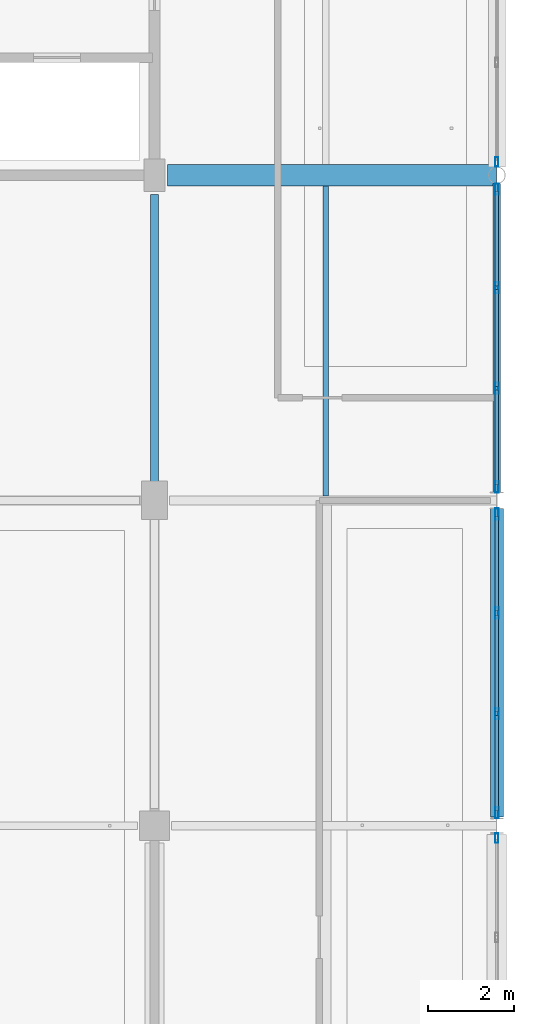
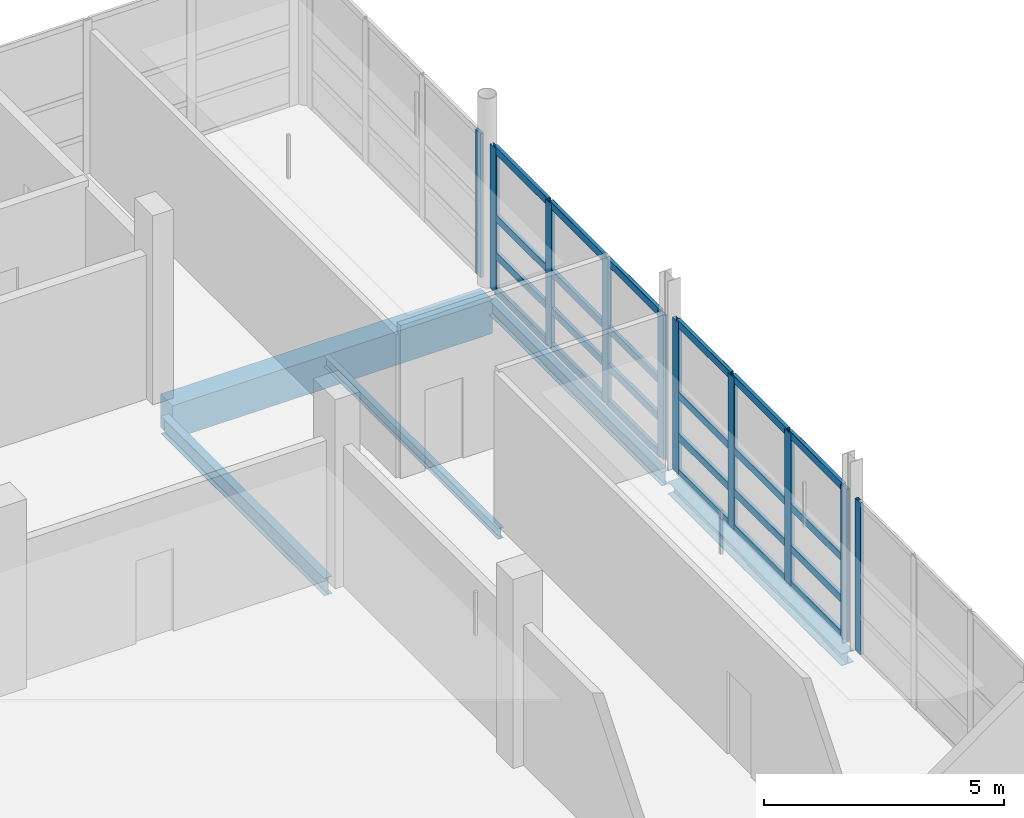
# One storey, part 54 of 141: 34 members, 5 beams, 4 elements without a shape of their own.
"""IFC4 building model written with IfcOpenShell, lengths in metres."""

from ifc_helpers import new_model, si_unit, direction, frame, origin, origin_2d, place, context, subcontext, project, spatial, rectangle, hollow_rectangle, i_section, extrude, material, material_profile, profile_set, type_object, element, aggregate, save


model = new_model("IFC4")

# Units and contexts
model_context = context("Model", 3, precision=1e-05, world=origin(), true_north=direction((0.0, 1.0)))
body_context = subcontext(model_context, "Body", "Model", "MODEL_VIEW")
ifc_project = project(units=[si_unit("LENGTHUNIT", "METRE"), si_unit("AREAUNIT", "SQUARE_METRE"), si_unit("VOLUMEUNIT", "CUBIC_METRE"), si_unit("PLANEANGLEUNIT", "RADIAN"), si_unit("MASSUNIT", "GRAM", prefix="KILO")], contexts=[model_context])

# Site, building, storey
site_placement = place(None, origin())
site = spatial("IfcSite", under=ifc_project, at=site_placement, CompositionType="ELEMENT")
building_placement = place(site_placement, origin())
building = spatial("IfcBuilding", under=site, at=building_placement, Name="Khelvaren Railside Concert Hall", CompositionType="ELEMENT")
storey_placement = place(building_placement, frame((0.0, 0.0, 10.199951171875)))
storey = spatial("IfcBuildingStorey", under=building, at=storey_placement, Name="L02", CompositionType="ELEMENT", Elevation=10.199951171875)

# Beam
ifc_material_1 = material(Name="Steel S355", Category="steel")
ifc_material_profile_1 = material_profile(ifc_material_1, i_section(OverallWidth=0.18994140625, OverallDepth=0.449951171875, WebThickness=0.009521484375, FlangeThickness=0.0146484375, FilletRadius=0.02099609375, at=origin_2d()), Name="IPE 450")
ifc_profile_set_1 = profile_set([ifc_material_profile_1], Name="Steel S355")
beam_type_1 = type_object("IfcBeamType", Name="BM95", PredefinedType="BEAM", material=ifc_profile_set_1)
beam_1_placement = place(storey_placement, frame((176.0, 23.14990234375, -0.514892578125), z_axis=(0.0, 1.0, 0.0), x_axis=(-1.0, 0.0, 0.0)))
element("IfcBeam", 1, at=beam_1_placement, inside=storey, type_object=beam_type_1, Name="V2 L02 Beam Y5.4", PredefinedType="BEAM", context=body_context, shape_type="SweptSolid", body=[
    extrude(i_section(OverallWidth=0.18994140625, OverallDepth=0.449951171875, WebThickness=0.009521484375, FlangeThickness=0.0146484375, FilletRadius=0.02099609375, at=origin_2d()), origin(), (0.0, 0.0, 1.0), 6.800048828125),
])

# Curtain wall, member
ifc_material_2 = material(Name="Double-glazed clear foyer glass", Category="glass")
curtain_wall_type_1 = type_object("IfcCurtainWallType", Name="CW64", PredefinedType="USERDEFINED", material=ifc_material_2)
curtain_wall_1_placement = place(storey_placement, origin())
curtain_wall_1 = element("IfcCurtainWall", 2, at=curtain_wall_1_placement, inside=storey, type_object=curtain_wall_type_1, Name="Unitised Curtain Wall CW-V2-L02-E-8", ObjectType="UNITISED CURTAIN WALL", PredefinedType="USERDEFINED")
ifc_material_3 = material(Name="Anodised architectural aluminium 6063-T6", Category="aluminium")
ifc_material_profile_2 = material_profile(ifc_material_3, hollow_rectangle(XDim=0.074951171875, YDim=0.219970703125, WallThickness=0.0048828125, InnerFilletRadius=0.0029296875, OuterFilletRadius=0.0048828125, at=origin_2d()), Name="CWM 75x220x5")
ifc_profile_set_2 = profile_set([ifc_material_profile_2], Name="Anodised architectural aluminium 6063-T6")
member_type_1 = type_object("IfcMemberType", Name="CWM13", PredefinedType="MULLION", material=ifc_profile_set_2)
member_1_placement = place(storey_placement, frame((184.0, 14.909912109375, 0.0), z_axis=(0.0, 0.0, 1.0), x_axis=(1.0, 0.0, 0.0)))
member_1 = element("IfcMember", 3, at=member_1_placement, type_object=member_type_1, Name="CW64 mullion 1", PredefinedType="MULLION", context=body_context, shape_type="SweptSolid", body=[
    extrude(hollow_rectangle(XDim=0.074951171875, YDim=0.219970703125, WallThickness=0.0048828125, InnerFilletRadius=0.0029296875, OuterFilletRadius=0.0048828125, at=origin_2d()), origin(), (0.0, 0.0, 1.0), 3.860107421875),
])
aggregate(curtain_wall_1, [member_1])

ifc_material_4 = material(Name="Triple-glazed solar-control glass", Category="glass")
curtain_wall_type_2 = type_object("IfcCurtainWallType", Name="CW88", PredefinedType="USERDEFINED", material=ifc_material_4)
curtain_wall_2_placement = place(storey_placement, origin())
curtain_wall_2 = element("IfcCurtainWall", 4, at=curtain_wall_2_placement, inside=storey, type_object=curtain_wall_type_2, Name="Unitised Curtain Wall CW-V2-L02-E-30", ObjectType="UNITISED CURTAIN WALL", PredefinedType="USERDEFINED")
member_2_placement = place(storey_placement, frame((184.0, 30.713134765625, 0.0), z_axis=(0.0, 0.0, 1.0), x_axis=(1.0, 0.0, 0.0)))
member_2 = element("IfcMember", 5, at=member_2_placement, type_object=member_type_1, Name="CW88 mullion 4", PredefinedType="MULLION", context=body_context, shape_type="SweptSolid", body=[
    extrude(hollow_rectangle(XDim=0.074951171875, YDim=0.219970703125, WallThickness=0.0048828125, InnerFilletRadius=0.0029296875, OuterFilletRadius=0.0048828125, at=origin_2d()), origin(), (0.0, 0.0, 1.0), 3.66015625),
])
aggregate(curtain_wall_2, [member_2])

# Curtain wall, members
ifc_material_5 = material(Name="Acoustic laminated crystal facade glass", Category="glass")
curtain_wall_type_3 = type_object("IfcCurtainWallType", Name="CW54", PredefinedType="USERDEFINED", material=ifc_material_5)
curtain_wall_3_placement = place(storey_placement, origin())
curtain_wall_3 = element("IfcCurtainWall", 6, at=curtain_wall_3_placement, inside=storey, type_object=curtain_wall_type_3, Name="Unitised Curtain Wall CW-V2-L02-E-15", ObjectType="UNITISED CURTAIN WALL", PredefinedType="USERDEFINED")
ifc_material_profile_3 = material_profile(ifc_material_3, hollow_rectangle(XDim=0.0849609375, YDim=0.260009765625, WallThickness=0.0048828125, InnerFilletRadius=0.0029296875, OuterFilletRadius=0.0048828125, at=origin_2d()), Name="CWM 85x260x5")
ifc_profile_set_3 = profile_set([ifc_material_profile_3], Name="Anodised architectural aluminium 6063-T6")
member_type_2 = type_object("IfcMemberType", Name="CWM40", PredefinedType="MULLION", material=ifc_profile_set_3)
member_3_placement = place(storey_placement, frame((184.0, 22.485107421875, 0.0), z_axis=(0.0, 0.0, 1.0), x_axis=(1.0, 0.0, 0.0)))
member_3 = element("IfcMember", 7, at=member_3_placement, type_object=member_type_2, Name="CW54 mullion 1", PredefinedType="MULLION", context=body_context, shape_type="SweptSolid", body=[
    extrude(hollow_rectangle(XDim=0.0849609375, YDim=0.260009765625, WallThickness=0.0048828125, InnerFilletRadius=0.0029296875, OuterFilletRadius=0.0048828125, at=origin_2d()), origin(), (0.0, 0.0, 1.0), 3.860107421875),
])
member_4_placement = place(storey_placement, frame((184.0, 20.1708984375, 0.0), z_axis=(0.0, 0.0, 1.0), x_axis=(1.0, 0.0, 0.0)))
member_4 = element("IfcMember", 8, at=member_4_placement, type_object=member_type_2, Name="CW54 mullion 2", PredefinedType="MULLION", context=body_context, shape_type="SweptSolid", body=[
    extrude(hollow_rectangle(XDim=0.0849609375, YDim=0.260009765625, WallThickness=0.0048828125, InnerFilletRadius=0.0029296875, OuterFilletRadius=0.0048828125, at=origin_2d()), origin(), (0.0, 0.0, 1.0), 3.860107421875),
])
member_5_placement = place(storey_placement, frame((184.0, 17.814208984375, 0.0), z_axis=(0.0, 0.0, 1.0), x_axis=(1.0, 0.0, 0.0)))
member_5 = element("IfcMember", 9, at=member_5_placement, type_object=member_type_2, Name="CW54 mullion 3", PredefinedType="MULLION", context=body_context, shape_type="SweptSolid", body=[
    extrude(hollow_rectangle(XDim=0.0849609375, YDim=0.260009765625, WallThickness=0.0048828125, InnerFilletRadius=0.0029296875, OuterFilletRadius=0.0048828125, at=origin_2d()), origin(), (0.0, 0.0, 1.0), 3.860107421875),
])
member_6_placement = place(storey_placement, frame((184.0, 15.5, 0.0), z_axis=(0.0, 0.0, 1.0), x_axis=(1.0, 0.0, 0.0)))
member_6 = element("IfcMember", 10, at=member_6_placement, type_object=member_type_2, Name="CW54 mullion 4", PredefinedType="MULLION", context=body_context, shape_type="SweptSolid", body=[
    extrude(hollow_rectangle(XDim=0.0849609375, YDim=0.260009765625, WallThickness=0.0048828125, InnerFilletRadius=0.0029296875, OuterFilletRadius=0.0048828125, at=origin_2d()), origin(), (0.0, 0.0, 1.0), 3.860107421875),
])

curtain_wall_type_4 = type_object("IfcCurtainWallType", Name="CW66", PredefinedType="USERDEFINED", material=ifc_material_5)
curtain_wall_4_placement = place(storey_placement, origin())
curtain_wall_4 = element("IfcCurtainWall", 11, at=curtain_wall_4_placement, inside=storey, type_object=curtain_wall_type_4, Name="Unitised Curtain Wall CW-V2-L02-E-23", ObjectType="UNITISED CURTAIN WALL", PredefinedType="USERDEFINED")
member_7_placement = place(storey_placement, frame((184.0, 30.076904296875, 0.0), z_axis=(0.0, 0.0, 1.0), x_axis=(1.0, 0.0, 0.0)))
member_7 = element("IfcMember", 12, at=member_7_placement, type_object=member_type_2, Name="CW66 mullion 1", PredefinedType="MULLION", context=body_context, shape_type="SweptSolid", body=[
    extrude(hollow_rectangle(XDim=0.0849609375, YDim=0.260009765625, WallThickness=0.0048828125, InnerFilletRadius=0.0029296875, OuterFilletRadius=0.0048828125, at=origin_2d()), origin(), (0.0, 0.0, 1.0), 3.66015625),
])
member_8_placement = place(storey_placement, frame((184.0, 27.770263671875, 0.0), z_axis=(0.0, 0.0, 1.0), x_axis=(1.0, 0.0, 0.0)))
member_8 = element("IfcMember", 13, at=member_8_placement, type_object=member_type_2, Name="CW66 mullion 2", PredefinedType="MULLION", context=body_context, shape_type="SweptSolid", body=[
    extrude(hollow_rectangle(XDim=0.0849609375, YDim=0.260009765625, WallThickness=0.0048828125, InnerFilletRadius=0.0029296875, OuterFilletRadius=0.0048828125, at=origin_2d()), origin(), (0.0, 0.0, 1.0), 3.66015625),
])
member_9_placement = place(storey_placement, frame((184.0, 25.42138671875, 0.0), z_axis=(0.0, 0.0, 1.0), x_axis=(1.0, 0.0, 0.0)))
member_9 = element("IfcMember", 14, at=member_9_placement, type_object=member_type_2, Name="CW66 mullion 3", PredefinedType="MULLION", context=body_context, shape_type="SweptSolid", body=[
    extrude(hollow_rectangle(XDim=0.0849609375, YDim=0.260009765625, WallThickness=0.0048828125, InnerFilletRadius=0.0029296875, OuterFilletRadius=0.0048828125, at=origin_2d()), origin(), (0.0, 0.0, 1.0), 3.66015625),
])
member_10_placement = place(storey_placement, frame((184.0, 23.114990234375, 0.0), z_axis=(0.0, 0.0, 1.0), x_axis=(1.0, 0.0, 0.0)))
member_10 = element("IfcMember", 15, at=member_10_placement, type_object=member_type_2, Name="CW66 mullion 4", PredefinedType="MULLION", context=body_context, shape_type="SweptSolid", body=[
    extrude(hollow_rectangle(XDim=0.0849609375, YDim=0.260009765625, WallThickness=0.0048828125, InnerFilletRadius=0.0029296875, OuterFilletRadius=0.0048828125, at=origin_2d()), origin(), (0.0, 0.0, 1.0), 3.66015625),
])

# Member
ifc_material_profile_4 = material_profile(ifc_material_3, hollow_rectangle(XDim=0.0849609375, YDim=0.18994140625, WallThickness=0.0048828125, InnerFilletRadius=0.0029296875, OuterFilletRadius=0.0048828125, at=origin_2d()), Name="CWT 85x190x5")
ifc_profile_set_4 = profile_set([ifc_material_profile_4], Name="Anodised architectural aluminium 6063-T6")
member_type_3 = type_object("IfcMemberType", Name="CWT31", PredefinedType="USERDEFINED", material=ifc_profile_set_4)
member_11_placement = place(storey_placement, frame((184.0, 22.4423828125, 0.04248046875), z_axis=(0.0, -1.0, 0.0), x_axis=(1.0, 0.0, 0.0)))
member_11 = element("IfcMember", 16, at=member_11_placement, type_object=member_type_3, Name="CW54 transom 1.1", ObjectType="TRANSOM", PredefinedType="USERDEFINED", context=body_context, shape_type="SweptSolid", body=[
    extrude(hollow_rectangle(XDim=0.0849609375, YDim=0.18994140625, WallThickness=0.0048828125, InnerFilletRadius=0.0029296875, OuterFilletRadius=0.0048828125, at=origin_2d()), origin(), (0.0, 0.0, 1.0), 2.22900390625),
])

member_12_placement = place(storey_placement, frame((184.0, 22.4423828125, 0.949951171875), z_axis=(0.0, -1.0, 0.0), x_axis=(1.0, 0.0, 0.0)))
member_12 = element("IfcMember", 17, at=member_12_placement, type_object=member_type_3, Name="CW54 transom 1.2", ObjectType="TRANSOM", PredefinedType="USERDEFINED", context=body_context, shape_type="SweptSolid", body=[
    extrude(hollow_rectangle(XDim=0.0849609375, YDim=0.18994140625, WallThickness=0.0048828125, InnerFilletRadius=0.0029296875, OuterFilletRadius=0.0048828125, at=origin_2d()), origin(), (0.0, 0.0, 1.0), 2.22900390625),
])

member_13_placement = place(storey_placement, frame((184.0, 22.4423828125, 2.00732421875), z_axis=(0.0, -1.0, 0.0), x_axis=(1.0, 0.0, 0.0)))
member_13 = element("IfcMember", 18, at=member_13_placement, type_object=member_type_3, Name="CW54 transom 1.3", ObjectType="TRANSOM", PredefinedType="USERDEFINED", context=body_context, shape_type="SweptSolid", body=[
    extrude(hollow_rectangle(XDim=0.0849609375, YDim=0.18994140625, WallThickness=0.0048828125, InnerFilletRadius=0.0029296875, OuterFilletRadius=0.0048828125, at=origin_2d()), origin(), (0.0, 0.0, 1.0), 2.22900390625),
])

member_14_placement = place(storey_placement, frame((184.0, 22.4423828125, 3.817626953125), z_axis=(0.0, -1.0, 0.0), x_axis=(1.0, 0.0, 0.0)))
member_14 = element("IfcMember", 19, at=member_14_placement, type_object=member_type_3, Name="CW54 transom 1.4", ObjectType="TRANSOM", PredefinedType="USERDEFINED", context=body_context, shape_type="SweptSolid", body=[
    extrude(hollow_rectangle(XDim=0.0849609375, YDim=0.18994140625, WallThickness=0.0048828125, InnerFilletRadius=0.0029296875, OuterFilletRadius=0.0048828125, at=origin_2d()), origin(), (0.0, 0.0, 1.0), 2.22900390625),
])

member_15_placement = place(storey_placement, frame((184.0, 20.12841796875, 0.04248046875), z_axis=(0.0, -1.0, 0.0), x_axis=(1.0, 0.0, 0.0)))
member_15 = element("IfcMember", 20, at=member_15_placement, type_object=member_type_3, Name="CW54 transom 2.1", ObjectType="TRANSOM", PredefinedType="USERDEFINED", context=body_context, shape_type="SweptSolid", body=[
    extrude(hollow_rectangle(XDim=0.0849609375, YDim=0.18994140625, WallThickness=0.0048828125, InnerFilletRadius=0.0029296875, OuterFilletRadius=0.0048828125, at=origin_2d()), origin(), (0.0, 0.0, 1.0), 2.271728515625),
])

member_16_placement = place(storey_placement, frame((184.0, 20.12841796875, 0.949951171875), z_axis=(0.0, -1.0, 0.0), x_axis=(1.0, 0.0, 0.0)))
member_16 = element("IfcMember", 21, at=member_16_placement, type_object=member_type_3, Name="CW54 transom 2.2", ObjectType="TRANSOM", PredefinedType="USERDEFINED", context=body_context, shape_type="SweptSolid", body=[
    extrude(hollow_rectangle(XDim=0.0849609375, YDim=0.18994140625, WallThickness=0.0048828125, InnerFilletRadius=0.0029296875, OuterFilletRadius=0.0048828125, at=origin_2d()), origin(), (0.0, 0.0, 1.0), 2.271728515625),
])

member_17_placement = place(storey_placement, frame((184.0, 20.12841796875, 2.00732421875), z_axis=(0.0, -1.0, 0.0), x_axis=(1.0, 0.0, 0.0)))
member_17 = element("IfcMember", 22, at=member_17_placement, type_object=member_type_3, Name="CW54 transom 2.3", ObjectType="TRANSOM", PredefinedType="USERDEFINED", context=body_context, shape_type="SweptSolid", body=[
    extrude(hollow_rectangle(XDim=0.0849609375, YDim=0.18994140625, WallThickness=0.0048828125, InnerFilletRadius=0.0029296875, OuterFilletRadius=0.0048828125, at=origin_2d()), origin(), (0.0, 0.0, 1.0), 2.271728515625),
])

member_18_placement = place(storey_placement, frame((184.0, 20.12841796875, 3.817626953125), z_axis=(0.0, -1.0, 0.0), x_axis=(1.0, 0.0, 0.0)))
member_18 = element("IfcMember", 23, at=member_18_placement, type_object=member_type_3, Name="CW54 transom 2.4", ObjectType="TRANSOM", PredefinedType="USERDEFINED", context=body_context, shape_type="SweptSolid", body=[
    extrude(hollow_rectangle(XDim=0.0849609375, YDim=0.18994140625, WallThickness=0.0048828125, InnerFilletRadius=0.0029296875, OuterFilletRadius=0.0048828125, at=origin_2d()), origin(), (0.0, 0.0, 1.0), 2.271728515625),
])

member_19_placement = place(storey_placement, frame((184.0, 17.771728515625, 0.04248046875), z_axis=(0.0, -1.0, 0.0), x_axis=(1.0, 0.0, 0.0)))
member_19 = element("IfcMember", 24, at=member_19_placement, type_object=member_type_3, Name="CW54 transom 3.1", ObjectType="TRANSOM", PredefinedType="USERDEFINED", context=body_context, shape_type="SweptSolid", body=[
    extrude(hollow_rectangle(XDim=0.0849609375, YDim=0.18994140625, WallThickness=0.0048828125, InnerFilletRadius=0.0029296875, OuterFilletRadius=0.0048828125, at=origin_2d()), origin(), (0.0, 0.0, 1.0), 2.229248046875),
])

member_20_placement = place(storey_placement, frame((184.0, 17.771728515625, 0.949951171875), z_axis=(0.0, -1.0, 0.0), x_axis=(1.0, 0.0, 0.0)))
member_20 = element("IfcMember", 25, at=member_20_placement, type_object=member_type_3, Name="CW54 transom 3.2", ObjectType="TRANSOM", PredefinedType="USERDEFINED", context=body_context, shape_type="SweptSolid", body=[
    extrude(hollow_rectangle(XDim=0.0849609375, YDim=0.18994140625, WallThickness=0.0048828125, InnerFilletRadius=0.0029296875, OuterFilletRadius=0.0048828125, at=origin_2d()), origin(), (0.0, 0.0, 1.0), 2.229248046875),
])

member_21_placement = place(storey_placement, frame((184.0, 17.771728515625, 2.00732421875), z_axis=(0.0, -1.0, 0.0), x_axis=(1.0, 0.0, 0.0)))
member_21 = element("IfcMember", 26, at=member_21_placement, type_object=member_type_3, Name="CW54 transom 3.3", ObjectType="TRANSOM", PredefinedType="USERDEFINED", context=body_context, shape_type="SweptSolid", body=[
    extrude(hollow_rectangle(XDim=0.0849609375, YDim=0.18994140625, WallThickness=0.0048828125, InnerFilletRadius=0.0029296875, OuterFilletRadius=0.0048828125, at=origin_2d()), origin(), (0.0, 0.0, 1.0), 2.229248046875),
])

member_22_placement = place(storey_placement, frame((184.0, 17.771728515625, 3.817626953125), z_axis=(0.0, -1.0, 0.0), x_axis=(1.0, 0.0, 0.0)))
member_22 = element("IfcMember", 27, at=member_22_placement, type_object=member_type_3, Name="CW54 transom 3.4", ObjectType="TRANSOM", PredefinedType="USERDEFINED", context=body_context, shape_type="SweptSolid", body=[
    extrude(hollow_rectangle(XDim=0.0849609375, YDim=0.18994140625, WallThickness=0.0048828125, InnerFilletRadius=0.0029296875, OuterFilletRadius=0.0048828125, at=origin_2d()), origin(), (0.0, 0.0, 1.0), 2.229248046875),
])

aggregate(curtain_wall_3, [member_3, member_4, member_5, member_6, member_11, member_12, member_13, member_14, member_15, member_16, member_17, member_18, member_19, member_20, member_21, member_22])

member_23_placement = place(storey_placement, frame((184.0, 30.0341796875, 0.04248046875), z_axis=(0.0, -1.0, 0.0), x_axis=(1.0, 0.0, 0.0)))
member_23 = element("IfcMember", 28, at=member_23_placement, type_object=member_type_3, Name="CW66 transom 1.1", ObjectType="TRANSOM", PredefinedType="USERDEFINED", context=body_context, shape_type="SweptSolid", body=[
    extrude(hollow_rectangle(XDim=0.0849609375, YDim=0.18994140625, WallThickness=0.0048828125, InnerFilletRadius=0.0029296875, OuterFilletRadius=0.0048828125, at=origin_2d()), origin(), (0.0, 0.0, 1.0), 2.22119140625),
])

member_24_placement = place(storey_placement, frame((184.0, 30.0341796875, 0.949951171875), z_axis=(0.0, -1.0, 0.0), x_axis=(1.0, 0.0, 0.0)))
member_24 = element("IfcMember", 29, at=member_24_placement, type_object=member_type_3, Name="CW66 transom 1.2", ObjectType="TRANSOM", PredefinedType="USERDEFINED", context=body_context, shape_type="SweptSolid", body=[
    extrude(hollow_rectangle(XDim=0.0849609375, YDim=0.18994140625, WallThickness=0.0048828125, InnerFilletRadius=0.0029296875, OuterFilletRadius=0.0048828125, at=origin_2d()), origin(), (0.0, 0.0, 1.0), 2.22119140625),
])

member_25_placement = place(storey_placement, frame((184.0, 30.0341796875, 1.9033203125), z_axis=(0.0, -1.0, 0.0), x_axis=(1.0, 0.0, 0.0)))
member_25 = element("IfcMember", 30, at=member_25_placement, type_object=member_type_3, Name="CW66 transom 1.3", ObjectType="TRANSOM", PredefinedType="USERDEFINED", context=body_context, shape_type="SweptSolid", body=[
    extrude(hollow_rectangle(XDim=0.0849609375, YDim=0.18994140625, WallThickness=0.0048828125, InnerFilletRadius=0.0029296875, OuterFilletRadius=0.0048828125, at=origin_2d()), origin(), (0.0, 0.0, 1.0), 2.22119140625),
])

member_26_placement = place(storey_placement, frame((184.0, 30.0341796875, 3.617431640625), z_axis=(0.0, -1.0, 0.0), x_axis=(1.0, 0.0, 0.0)))
member_26 = element("IfcMember", 31, at=member_26_placement, type_object=member_type_3, Name="CW66 transom 1.4", ObjectType="TRANSOM", PredefinedType="USERDEFINED", context=body_context, shape_type="SweptSolid", body=[
    extrude(hollow_rectangle(XDim=0.0849609375, YDim=0.18994140625, WallThickness=0.0048828125, InnerFilletRadius=0.0029296875, OuterFilletRadius=0.0048828125, at=origin_2d()), origin(), (0.0, 0.0, 1.0), 2.22119140625),
])

member_27_placement = place(storey_placement, frame((184.0, 27.727783203125, 0.04248046875), z_axis=(0.0, -1.0, 0.0), x_axis=(1.0, 0.0, 0.0)))
member_27 = element("IfcMember", 32, at=member_27_placement, type_object=member_type_3, Name="CW66 transom 2.1", ObjectType="TRANSOM", PredefinedType="USERDEFINED", context=body_context, shape_type="SweptSolid", body=[
    extrude(hollow_rectangle(XDim=0.0849609375, YDim=0.18994140625, WallThickness=0.0048828125, InnerFilletRadius=0.0029296875, OuterFilletRadius=0.0048828125, at=origin_2d()), origin(), (0.0, 0.0, 1.0), 2.263916015625),
])

member_28_placement = place(storey_placement, frame((184.0, 27.727783203125, 0.949951171875), z_axis=(0.0, -1.0, 0.0), x_axis=(1.0, 0.0, 0.0)))
member_28 = element("IfcMember", 33, at=member_28_placement, type_object=member_type_3, Name="CW66 transom 2.2", ObjectType="TRANSOM", PredefinedType="USERDEFINED", context=body_context, shape_type="SweptSolid", body=[
    extrude(hollow_rectangle(XDim=0.0849609375, YDim=0.18994140625, WallThickness=0.0048828125, InnerFilletRadius=0.0029296875, OuterFilletRadius=0.0048828125, at=origin_2d()), origin(), (0.0, 0.0, 1.0), 2.263916015625),
])

member_29_placement = place(storey_placement, frame((184.0, 27.727783203125, 1.9033203125), z_axis=(0.0, -1.0, 0.0), x_axis=(1.0, 0.0, 0.0)))
member_29 = element("IfcMember", 34, at=member_29_placement, type_object=member_type_3, Name="CW66 transom 2.3", ObjectType="TRANSOM", PredefinedType="USERDEFINED", context=body_context, shape_type="SweptSolid", body=[
    extrude(hollow_rectangle(XDim=0.0849609375, YDim=0.18994140625, WallThickness=0.0048828125, InnerFilletRadius=0.0029296875, OuterFilletRadius=0.0048828125, at=origin_2d()), origin(), (0.0, 0.0, 1.0), 2.263916015625),
])

member_30_placement = place(storey_placement, frame((184.0, 27.727783203125, 3.617431640625), z_axis=(0.0, -1.0, 0.0), x_axis=(1.0, 0.0, 0.0)))
member_30 = element("IfcMember", 35, at=member_30_placement, type_object=member_type_3, Name="CW66 transom 2.4", ObjectType="TRANSOM", PredefinedType="USERDEFINED", context=body_context, shape_type="SweptSolid", body=[
    extrude(hollow_rectangle(XDim=0.0849609375, YDim=0.18994140625, WallThickness=0.0048828125, InnerFilletRadius=0.0029296875, OuterFilletRadius=0.0048828125, at=origin_2d()), origin(), (0.0, 0.0, 1.0), 2.263916015625),
])

member_31_placement = place(storey_placement, frame((184.0, 25.37890625, 0.04248046875), z_axis=(0.0, -1.0, 0.0), x_axis=(1.0, 0.0, 0.0)))
member_31 = element("IfcMember", 36, at=member_31_placement, type_object=member_type_3, Name="CW66 transom 3.1", ObjectType="TRANSOM", PredefinedType="USERDEFINED", context=body_context, shape_type="SweptSolid", body=[
    extrude(hollow_rectangle(XDim=0.0849609375, YDim=0.18994140625, WallThickness=0.0048828125, InnerFilletRadius=0.0029296875, OuterFilletRadius=0.0048828125, at=origin_2d()), origin(), (0.0, 0.0, 1.0), 2.221435546875),
])

member_32_placement = place(storey_placement, frame((184.0, 25.37890625, 0.949951171875), z_axis=(0.0, -1.0, 0.0), x_axis=(1.0, 0.0, 0.0)))
member_32 = element("IfcMember", 37, at=member_32_placement, type_object=member_type_3, Name="CW66 transom 3.2", ObjectType="TRANSOM", PredefinedType="USERDEFINED", context=body_context, shape_type="SweptSolid", body=[
    extrude(hollow_rectangle(XDim=0.0849609375, YDim=0.18994140625, WallThickness=0.0048828125, InnerFilletRadius=0.0029296875, OuterFilletRadius=0.0048828125, at=origin_2d()), origin(), (0.0, 0.0, 1.0), 2.221435546875),
])

member_33_placement = place(storey_placement, frame((184.0, 25.37890625, 1.9033203125), z_axis=(0.0, -1.0, 0.0), x_axis=(1.0, 0.0, 0.0)))
member_33 = element("IfcMember", 38, at=member_33_placement, type_object=member_type_3, Name="CW66 transom 3.3", ObjectType="TRANSOM", PredefinedType="USERDEFINED", context=body_context, shape_type="SweptSolid", body=[
    extrude(hollow_rectangle(XDim=0.0849609375, YDim=0.18994140625, WallThickness=0.0048828125, InnerFilletRadius=0.0029296875, OuterFilletRadius=0.0048828125, at=origin_2d()), origin(), (0.0, 0.0, 1.0), 2.221435546875),
])

member_34_placement = place(storey_placement, frame((184.0, 25.37890625, 3.617431640625), z_axis=(0.0, -1.0, 0.0), x_axis=(1.0, 0.0, 0.0)))
member_34 = element("IfcMember", 39, at=member_34_placement, type_object=member_type_3, Name="CW66 transom 3.4", ObjectType="TRANSOM", PredefinedType="USERDEFINED", context=body_context, shape_type="SweptSolid", body=[
    extrude(hollow_rectangle(XDim=0.0849609375, YDim=0.18994140625, WallThickness=0.0048828125, InnerFilletRadius=0.0029296875, OuterFilletRadius=0.0048828125, at=origin_2d()), origin(), (0.0, 0.0, 1.0), 2.221435546875),
])

aggregate(curtain_wall_4, [member_7, member_8, member_9, member_10, member_23, member_24, member_25, member_26, member_27, member_28, member_29, member_30, member_31, member_32, member_33, member_34])

# Beams
ifc_material_6 = material(Name="Concrete C40/50", Category="concrete")
ifc_material_profile_5 = material_profile(ifc_material_6, rectangle(XDim=0.5, YDim=0.85009765625, at=origin_2d()), Name="RCB 500x850")
ifc_profile_set_5 = profile_set([ifc_material_profile_5], Name="Concrete C40/50")
beam_type_2 = type_object("IfcBeamType", Name="GR96", PredefinedType="T_BEAM", material=ifc_profile_set_5)
beam_2_placement = place(storey_placement, frame((176.300048828125, 30.39990234375, -0.71484375), z_axis=(1.0, 0.0, 0.0), x_axis=(0.0, 1.0, 0.0)))
element("IfcBeam", 40, at=beam_2_placement, inside=storey, type_object=beam_type_2, Name="V2 L02 T_Beam X5.5", PredefinedType="T_BEAM", context=body_context, shape_type="SweptSolid", body=[
    extrude(rectangle(XDim=0.5, YDim=0.85009765625, at=origin_2d()), origin(), (0.0, 0.0, 1.0), 7.68994140625),
])
ifc_material_profile_6 = material_profile(ifc_material_1, i_section(OverallWidth=0.135009765625, OverallDepth=0.27001953125, WebThickness=0.006591796875, FlangeThickness=0.01025390625, FilletRadius=0.014892578125, at=origin_2d()), Name="IPE 270")
ifc_profile_set_6 = profile_set([ifc_material_profile_6], Name="Steel S355")
beam_type_3 = type_object("IfcBeamType", Name="JS78", PredefinedType="JOIST", material=ifc_profile_set_6)
beam_3_placement = place(storey_placement, frame((180.0, 22.89990234375, -0.425048828125), z_axis=(0.0, 1.0, 0.0), x_axis=(-1.0, 0.0, 0.0)))
element("IfcBeam", 41, at=beam_3_placement, inside=storey, type_object=beam_type_3, Name="V2 L02 Secondary Joist 5.4", PredefinedType="JOIST", context=body_context, shape_type="SweptSolid", body=[
    extrude(i_section(OverallWidth=0.135009765625, OverallDepth=0.27001953125, WebThickness=0.006591796875, FlangeThickness=0.01025390625, FilletRadius=0.014892578125, at=origin_2d()), origin(), (0.0, 0.0, 1.0), 7.25),
])
ifc_material_profile_7 = material_profile(ifc_material_1, i_section(OverallWidth=0.300048828125, OverallDepth=0.31005859375, WebThickness=0.009033203125, FlangeThickness=0.015380859375, FilletRadius=0.027099609375, at=origin_2d()), Name="HEA 320")
ifc_profile_set_7 = profile_set([ifc_material_profile_7], Name="Steel S355")
beam_type_4 = type_object("IfcBeamType", Name="SP66", PredefinedType="SPANDREL", material=ifc_profile_set_7)
beam_4_placement = place(storey_placement, frame((184.0, 15.39990234375, -0.445068359375), z_axis=(0.0, 1.0, 0.0), x_axis=(-1.0, 0.0, 0.0)))
element("IfcBeam", 42, at=beam_4_placement, inside=storey, type_object=beam_type_4, Name="V2 L02 Spandrel Y6.3", PredefinedType="SPANDREL", context=body_context, shape_type="SweptSolid", body=[
    extrude(i_section(OverallWidth=0.300048828125, OverallDepth=0.31005859375, WebThickness=0.009033203125, FlangeThickness=0.015380859375, FilletRadius=0.027099609375, at=origin_2d()), origin(), (0.0, 0.0, 1.0), 7.22021484375),
])
ifc_material_profile_8 = material_profile(ifc_material_1, i_section(OverallWidth=0.169921875, OverallDepth=0.360107421875, WebThickness=0.008056640625, FlangeThickness=0.0126953125, FilletRadius=0.01806640625, at=origin_2d()), Name="IPE 360")
ifc_profile_set_8 = profile_set([ifc_material_profile_8], Name="Steel S355")
beam_type_5 = type_object("IfcBeamType", Name="SP74", PredefinedType="SPANDREL", material=ifc_profile_set_8)
beam_5_placement = place(storey_placement, frame((184.0, 22.97998046875, -0.469970703125), z_axis=(0.0, 1.0, 0.0), x_axis=(-1.0, 0.0, 0.0)))
element("IfcBeam", 43, at=beam_5_placement, inside=storey, type_object=beam_type_5, Name="V2 L02 Spandrel Y6.4", PredefinedType="SPANDREL", context=body_context, shape_type="SweptSolid", body=[
    extrude(i_section(OverallWidth=0.169921875, OverallDepth=0.360107421875, WebThickness=0.008056640625, FlangeThickness=0.0126953125, FilletRadius=0.01806640625, at=origin_2d()), origin(), (0.0, 0.0, 1.0), 7.22509765625),
])

save(model, "model.ifc")
